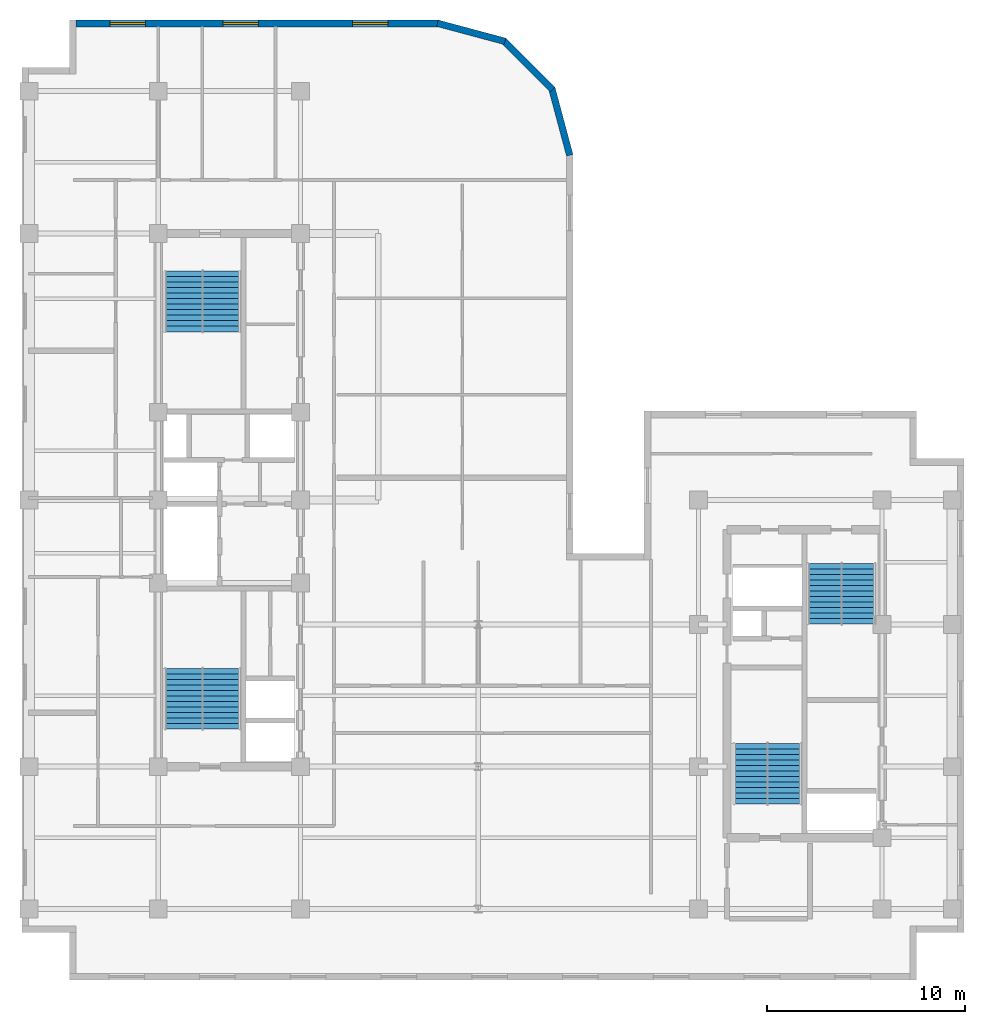
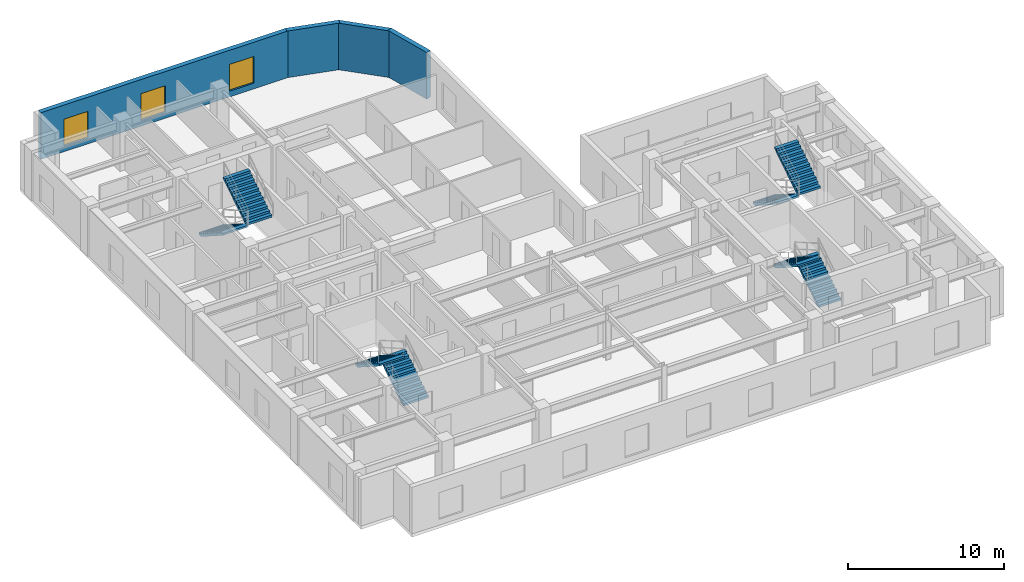
# One storey, part 7 of 10: 8 stair flights, 4 walls, 3 windows, 3 openings, 4 elements without a shape of their own.
"""IFC4 building model written with IfcOpenShell, lengths in metres."""

from ifc_helpers import new_model, entity, si_unit, converted_unit, direction, frame, origin_with_axes, origin_2d_with_axis, place, context, subcontext, project, spatial, polyline, rectangle, outline, extrude, material, layer, layer_set, type_object, element, fill, aggregate, save


model = new_model("IFC4")

# Units and contexts
model_context = context("Model", 3, precision=1e-05, world=origin_with_axes(), true_north=direction((0.0, 1.0)))
body_context = subcontext(model_context, "Body", "Model", "MODEL_VIEW")
ifc_project = project(units=[si_unit("LENGTHUNIT", "METRE"), si_unit("AREAUNIT", "SQUARE_METRE"), si_unit("VOLUMEUNIT", "CUBIC_METRE"), converted_unit("PLANEANGLEUNIT", "DEGREE", entity("IfcPlaneAngleMeasure", 0.017453292519943295), si_unit("PLANEANGLEUNIT", "RADIAN"), dimensions=[0, 0, 0, 0, 0, 0, 0]), si_unit("MASSUNIT", "GRAM", prefix="KILO"), si_unit("THERMODYNAMICTEMPERATUREUNIT", "KELVIN")], contexts=[model_context])

# Site, building, storey
site_placement = place(None, origin_with_axes())
site = spatial("IfcSite", under=ifc_project, at=site_placement, CompositionType="ELEMENT")
building_placement = place(site_placement, origin_with_axes())
building = spatial("IfcBuilding", under=site, at=building_placement, Name="Varnlund Millrace Tower", CompositionType="ELEMENT")
storey_placement = place(building_placement, frame((0.0, 0.0, 240.3), z_axis=(0.0, 0.0, 1.0), x_axis=(1.0, 0.0, 0.0)))
storey = spatial("IfcBuildingStorey", under=building, at=storey_placement, Name="L59", CompositionType="ELEMENT", Elevation=240.3)

# Wall, openings, windows
ifc_material_1 = material(Name="Precast concrete C50/60", Category="concrete")
ifc_layer = layer(ifc_material_1, 0.34, Name="Precast concrete C50/60")
ifc_layer_set = layer_set([ifc_layer], Name="Precast concrete C50/60")
wall_type = type_object("IfcWallType", Name="Type-ExtWall-Precast-Upper-340", PredefinedType="SOLIDWALL", material=ifc_layer_set)
wall_1_placement = place(storey_placement, frame((7.24, 48.43, 0.0), z_axis=(0.0, 0.0, 1.0), x_axis=(1.0, 0.0, 0.0)))
wall_1 = element("IfcWall", 1, at=wall_1_placement, inside=storey, type_object=wall_type, Name="Type-ExtWall-Precast-Upper-340", PredefinedType="SOLIDWALL", context=body_context, shape_type="SweptSolid", body=[
    extrude(outline(polyline([(0.0, -0.17), (18.36, -0.17), (18.36, 0.17), (0.0, 0.17), (0.0, -0.17)])), origin_with_axes(), (0.0, 0.0, 1.0), 3.66),
])
opening_1_placement = place(wall_1_placement, frame((2.61, 0.0, 0.45), z_axis=(0.0, 0.0, 1.0), x_axis=(1.0, 0.0, 0.0)))
opening_1 = element("IfcOpeningElement", 2, at=opening_1_placement, cuts=wall_1, Name="Opening L59:WN-22", PredefinedType="OPENING", context=body_context, shape_type="SweptSolid", body=[
    extrude(rectangle(XDim=1.8, YDim=0.36, at=origin_2d_with_axis()), origin_with_axes(), (0.0, 0.0, 1.0), 2.1),
])
opening_2_placement = place(wall_1_placement, frame((8.33, 0.0, 0.45), z_axis=(0.0, 0.0, 1.0), x_axis=(1.0, 0.0, 0.0)))
opening_2 = element("IfcOpeningElement", 3, at=opening_2_placement, cuts=wall_1, Name="Opening L59:WN-23", PredefinedType="OPENING", context=body_context, shape_type="SweptSolid", body=[
    extrude(rectangle(XDim=1.8, YDim=0.36, at=origin_2d_with_axis()), origin_with_axes(), (0.0, 0.0, 1.0), 2.1),
])
opening_3_placement = place(wall_1_placement, frame((14.9, 0.0, 0.45), z_axis=(0.0, 0.0, 1.0), x_axis=(1.0, 0.0, 0.0)))
opening_3 = element("IfcOpeningElement", 4, at=opening_3_placement, cuts=wall_1, Name="Opening L59:WN-24", PredefinedType="OPENING", context=body_context, shape_type="SweptSolid", body=[
    extrude(rectangle(XDim=1.8, YDim=0.36, at=origin_2d_with_axis()), origin_with_axes(), (0.0, 0.0, 1.0), 2.1),
])
ifc_material_2 = material(Name="Argon low-e triple glazing in thermally broken bronze frame", Category="glass")
window_type = type_object("IfcWindowType", Name="Type-Window-Punched-1800X2100", PartitioningType="SINGLE_PANEL", PredefinedType="WINDOW", material=ifc_material_2)
window_1_placement = place(wall_1_placement, frame((2.61, 0.0, 0.45), z_axis=(0.0, 0.0, 1.0), x_axis=(1.0, 0.0, 0.0)))
window_1 = element("IfcWindow", 5, at=window_1_placement, inside=storey, type_object=window_type, Name="Type-Window-Punched-1800X2100", OverallHeight=2.1, OverallWidth=1.8, PredefinedType="WINDOW", context=body_context, shape_type="SweptSolid", body=[
    extrude(rectangle(XDim=1.8, YDim=0.09, at=origin_2d_with_axis()), origin_with_axes(), (0.0, 0.0, 1.0), 2.1),
])
fill(opening_1, window_1)
window_2_placement = place(wall_1_placement, frame((8.33, 0.0, 0.45), z_axis=(0.0, 0.0, 1.0), x_axis=(1.0, 0.0, 0.0)))
window_2 = element("IfcWindow", 6, at=window_2_placement, inside=storey, type_object=window_type, Name="Type-Window-Punched-1800X2100", OverallHeight=2.1, OverallWidth=1.8, PredefinedType="WINDOW", context=body_context, shape_type="SweptSolid", body=[
    extrude(rectangle(XDim=1.8, YDim=0.09, at=origin_2d_with_axis()), origin_with_axes(), (0.0, 0.0, 1.0), 2.1),
])
fill(opening_2, window_2)
window_3_placement = place(wall_1_placement, frame((14.9, 0.0, 0.45), z_axis=(0.0, 0.0, 1.0), x_axis=(1.0, 0.0, 0.0)))
window_3 = element("IfcWindow", 7, at=window_3_placement, inside=storey, type_object=window_type, Name="Type-Window-Punched-1800X2100", OverallHeight=2.1, OverallWidth=1.8, PredefinedType="WINDOW", context=body_context, shape_type="SweptSolid", body=[
    extrude(rectangle(XDim=1.8, YDim=0.09, at=origin_2d_with_axis()), origin_with_axes(), (0.0, 0.0, 1.0), 2.1),
])
fill(opening_3, window_3)

# Walls
wall_2_placement = place(storey_placement, frame((25.537, 48.441, 0.0), z_axis=(0.0, 0.0, 1.0), x_axis=(0.965934, -0.258788, 0.0)))
element("IfcWall", 8, at=wall_2_placement, inside=storey, type_object=wall_type, Name="Type-ExtWall-Precast-Upper-340", PredefinedType="SOLIDWALL", context=body_context, shape_type="SweptSolid", body=[
    extrude(outline(polyline([(0.0, -0.17), (3.539579, -0.17), (3.539579, 0.17), (0.0, 0.17), (0.0, -0.17)])), origin_with_axes(), (0.0, 0.0, 1.0), 3.66),
])
wall_3_placement = place(storey_placement, frame((28.866, 47.583, 0.0), z_axis=(0.0, 0.0, 1.0), x_axis=(0.707107, -0.707107, 0.0)))
element("IfcWall", 9, at=wall_3_placement, inside=storey, type_object=wall_type, Name="Type-ExtWall-Precast-Upper-340", PredefinedType="SOLIDWALL", context=body_context, shape_type="SweptSolid", body=[
    extrude(outline(polyline([(0.0, -0.17), (3.539777, -0.17), (3.539777, 0.17), (0.0, 0.17), (0.0, -0.17)])), origin_with_axes(), (0.0, 0.0, 1.0), 3.66),
])
wall_4_placement = place(storey_placement, frame((31.32, 45.175, 0.0), z_axis=(0.0, 0.0, 1.0), x_axis=(0.258788, -0.965934, 0.0)))
element("IfcWall", 10, at=wall_4_placement, inside=storey, type_object=wall_type, Name="Type-ExtWall-Precast-Upper-340", PredefinedType="SOLIDWALL", context=body_context, shape_type="SweptSolid", body=[
    extrude(outline(polyline([(0.0, -0.17), (3.539579, -0.17), (3.539579, 0.17), (0.0, 0.17), (0.0, -0.17)])), origin_with_axes(), (0.0, 0.0, 1.0), 3.66),
])

# Stair, stair flights
ifc_material_3 = material(Name="Concrete C50/60", Category="concrete")
stair_type_1 = type_object("IfcStairType", Name="Type-Stair-Dogleg-165-390", PredefinedType="HALF_TURN_STAIR", material=ifc_material_3)
stair_1_placement = place(storey_placement, origin_with_axes())
stair_1 = element("IfcStair", 11, at=stair_1_placement, inside=storey, type_object=stair_type_1, Name="Type-Stair-Dogleg-165-390", PredefinedType="HALF_TURN_STAIR")
stair_flight_type_1 = type_object("IfcStairFlightType", Name="Type-Dogleg-Run-165-390", PredefinedType="STRAIGHT", material=ifc_material_1)
stair_flight_1_placement = place(storey_placement, frame((42.225, 8.9, 0.0), z_axis=(1.0, 0.0, 0.0), x_axis=(0.0, 1.0, 0.0)))
stair_flight_1 = element("IfcStairFlight", 12, at=stair_flight_1_placement, type_object=stair_flight_type_1, Name="ST-B1 flight 1", NumberOfRisers=11, NumberOfTreads=11, PredefinedType="STRAIGHT", RiserHeight=0.177273, TreadLength=0.28, context=body_context, shape_type="SweptSolid", body=[
    extrude(outline(polyline([(0.0, 0.0), (0.0, 0.177273), (0.28, 0.177273), (0.28, 0.354545), (0.56, 0.354545), (0.56, 0.531818), (0.84, 0.531818), (0.84, 0.709091), (1.12, 0.709091), (1.12, 0.886364), (1.4, 0.886364), (1.4, 1.063636), (1.68, 1.063636), (1.68, 1.240909), (1.96, 1.240909), (1.96, 1.418182), (2.24, 1.418182), (2.24, 1.595454), (2.52, 1.595454), (2.52, 1.772727), (2.8, 1.772727), (2.8, 1.95), (3.08, 1.95), (3.08, 1.8), (0.28, 0.0), (0.0, 0.0)])), origin_with_axes(), (0.0, 0.0, 1.0), 1.65),
])
stair_flight_2_placement = place(storey_placement, frame((42.275, 11.98, 1.95), z_axis=(-1.0, 0.0, 0.0), x_axis=(0.0, -1.0, 0.0)))
stair_flight_2 = element("IfcStairFlight", 13, at=stair_flight_2_placement, type_object=stair_flight_type_1, Name="ST-B1 flight 2", NumberOfRisers=11, NumberOfTreads=11, PredefinedType="STRAIGHT", RiserHeight=0.177273, TreadLength=0.28, context=body_context, shape_type="SweptSolid", body=[
    extrude(outline(polyline([(0.0, 0.0), (0.0, 0.177273), (0.28, 0.177273), (0.28, 0.354545), (0.56, 0.354545), (0.56, 0.531818), (0.84, 0.531818), (0.84, 0.709091), (1.12, 0.709091), (1.12, 0.886364), (1.4, 0.886364), (1.4, 1.063636), (1.68, 1.063636), (1.68, 1.240909), (1.96, 1.240909), (1.96, 1.418182), (2.24, 1.418182), (2.24, 1.595454), (2.52, 1.595454), (2.52, 1.772727), (2.8, 1.772727), (2.8, 1.95), (3.08, 1.95), (3.08, 1.8), (0.28, 0.0), (0.0, 0.0)])), origin_with_axes(), (0.0, 0.0, 1.0), 1.65),
])
aggregate(stair_1, [stair_flight_1, stair_flight_2])

stair_2_placement = place(storey_placement, origin_with_axes())
stair_2 = element("IfcStair", 14, at=stair_2_placement, inside=storey, type_object=stair_type_1, Name="Type-Stair-Dogleg-165-390", PredefinedType="HALF_TURN_STAIR")
stair_flight_3_placement = place(storey_placement, frame((46.025, 21.1, 0.0), z_axis=(-1.0, 0.0, 0.0), x_axis=(0.0, -1.0, 0.0)))
stair_flight_3 = element("IfcStairFlight", 15, at=stair_flight_3_placement, type_object=stair_flight_type_1, Name="ST-B2 flight 1", NumberOfRisers=11, NumberOfTreads=11, PredefinedType="STRAIGHT", RiserHeight=0.177273, TreadLength=0.28, context=body_context, shape_type="SweptSolid", body=[
    extrude(outline(polyline([(0.0, 0.0), (0.0, 0.177273), (0.28, 0.177273), (0.28, 0.354545), (0.56, 0.354545), (0.56, 0.531818), (0.84, 0.531818), (0.84, 0.709091), (1.12, 0.709091), (1.12, 0.886364), (1.4, 0.886364), (1.4, 1.063636), (1.68, 1.063636), (1.68, 1.240909), (1.96, 1.240909), (1.96, 1.418182), (2.24, 1.418182), (2.24, 1.595454), (2.52, 1.595454), (2.52, 1.772727), (2.8, 1.772727), (2.8, 1.95), (3.08, 1.95), (3.08, 1.8), (0.28, 0.0), (0.0, 0.0)])), origin_with_axes(), (0.0, 0.0, 1.0), 1.65),
])
stair_flight_4_placement = place(storey_placement, frame((45.975, 18.02, 1.95), z_axis=(1.0, 0.0, 0.0), x_axis=(0.0, 1.0, 0.0)))
stair_flight_4 = element("IfcStairFlight", 16, at=stair_flight_4_placement, type_object=stair_flight_type_1, Name="ST-B2 flight 2", NumberOfRisers=11, NumberOfTreads=11, PredefinedType="STRAIGHT", RiserHeight=0.177273, TreadLength=0.28, context=body_context, shape_type="SweptSolid", body=[
    extrude(outline(polyline([(0.0, 0.0), (0.0, 0.177273), (0.28, 0.177273), (0.28, 0.354545), (0.56, 0.354545), (0.56, 0.531818), (0.84, 0.531818), (0.84, 0.709091), (1.12, 0.709091), (1.12, 0.886364), (1.4, 0.886364), (1.4, 1.063636), (1.68, 1.063636), (1.68, 1.240909), (1.96, 1.240909), (1.96, 1.418182), (2.24, 1.418182), (2.24, 1.595454), (2.52, 1.595454), (2.52, 1.772727), (2.8, 1.772727), (2.8, 1.95), (3.08, 1.95), (3.08, 1.8), (0.28, 0.0), (0.0, 0.0)])), origin_with_axes(), (0.0, 0.0, 1.0), 1.65),
])
aggregate(stair_2, [stair_flight_3, stair_flight_4])

stair_type_2 = type_object("IfcStairType", Name="Type-Stair-Dogleg-185-390", PredefinedType="HALF_TURN_STAIR", material=ifc_material_3)
stair_3_placement = place(storey_placement, origin_with_axes())
stair_3 = element("IfcStair", 17, at=stair_3_placement, inside=storey, type_object=stair_type_2, Name="Type-Stair-Dogleg-185-390", PredefinedType="HALF_TURN_STAIR")
stair_flight_type_2 = type_object("IfcStairFlightType", Name="Type-Dogleg-Run-185-390", PredefinedType="STRAIGHT", material=ifc_material_1)
stair_flight_5_placement = place(storey_placement, frame((13.625, 12.7, 0.0), z_axis=(1.0, 0.0, 0.0), x_axis=(0.0, 1.0, 0.0)))
stair_flight_5 = element("IfcStairFlight", 18, at=stair_flight_5_placement, type_object=stair_flight_type_2, Name="ST-A1 flight 1", NumberOfRisers=11, NumberOfTreads=11, PredefinedType="STRAIGHT", RiserHeight=0.177273, TreadLength=0.28, context=body_context, shape_type="SweptSolid", body=[
    extrude(outline(polyline([(0.0, 0.0), (0.0, 0.177273), (0.28, 0.177273), (0.28, 0.354545), (0.56, 0.354545), (0.56, 0.531818), (0.84, 0.531818), (0.84, 0.709091), (1.12, 0.709091), (1.12, 0.886364), (1.4, 0.886364), (1.4, 1.063636), (1.68, 1.063636), (1.68, 1.240909), (1.96, 1.240909), (1.96, 1.418182), (2.24, 1.418182), (2.24, 1.595454), (2.52, 1.595454), (2.52, 1.772727), (2.8, 1.772727), (2.8, 1.95), (3.08, 1.95), (3.08, 1.8), (0.28, 0.0), (0.0, 0.0)])), origin_with_axes(), (0.0, 0.0, 1.0), 1.85),
])
stair_flight_6_placement = place(storey_placement, frame((13.675, 15.78, 1.95), z_axis=(-1.0, 0.0, 0.0), x_axis=(0.0, -1.0, 0.0)))
stair_flight_6 = element("IfcStairFlight", 19, at=stair_flight_6_placement, type_object=stair_flight_type_2, Name="ST-A1 flight 2", NumberOfRisers=11, NumberOfTreads=11, PredefinedType="STRAIGHT", RiserHeight=0.177273, TreadLength=0.28, context=body_context, shape_type="SweptSolid", body=[
    extrude(outline(polyline([(0.0, 0.0), (0.0, 0.177273), (0.28, 0.177273), (0.28, 0.354545), (0.56, 0.354545), (0.56, 0.531818), (0.84, 0.531818), (0.84, 0.709091), (1.12, 0.709091), (1.12, 0.886364), (1.4, 0.886364), (1.4, 1.063636), (1.68, 1.063636), (1.68, 1.240909), (1.96, 1.240909), (1.96, 1.418182), (2.24, 1.418182), (2.24, 1.595454), (2.52, 1.595454), (2.52, 1.772727), (2.8, 1.772727), (2.8, 1.95), (3.08, 1.95), (3.08, 1.8), (0.28, 0.0), (0.0, 0.0)])), origin_with_axes(), (0.0, 0.0, 1.0), 1.85),
])
aggregate(stair_3, [stair_flight_5, stair_flight_6])

stair_4_placement = place(storey_placement, origin_with_axes())
stair_4 = element("IfcStair", 20, at=stair_4_placement, inside=storey, type_object=stair_type_2, Name="Type-Stair-Dogleg-185-390", PredefinedType="HALF_TURN_STAIR")
stair_flight_7_placement = place(storey_placement, frame((13.675, 35.9, 0.0), z_axis=(-1.0, 0.0, 0.0), x_axis=(0.0, -1.0, 0.0)))
stair_flight_7 = element("IfcStairFlight", 21, at=stair_flight_7_placement, type_object=stair_flight_type_2, Name="ST-A2 flight 1", NumberOfRisers=11, NumberOfTreads=11, PredefinedType="STRAIGHT", RiserHeight=0.177273, TreadLength=0.28, context=body_context, shape_type="SweptSolid", body=[
    extrude(outline(polyline([(0.0, 0.0), (0.0, 0.177273), (0.28, 0.177273), (0.28, 0.354545), (0.56, 0.354545), (0.56, 0.531818), (0.84, 0.531818), (0.84, 0.709091), (1.12, 0.709091), (1.12, 0.886364), (1.4, 0.886364), (1.4, 1.063636), (1.68, 1.063636), (1.68, 1.240909), (1.96, 1.240909), (1.96, 1.418182), (2.24, 1.418182), (2.24, 1.595454), (2.52, 1.595454), (2.52, 1.772727), (2.8, 1.772727), (2.8, 1.95), (3.08, 1.95), (3.08, 1.8), (0.28, 0.0), (0.0, 0.0)])), origin_with_axes(), (0.0, 0.0, 1.0), 1.85),
])
stair_flight_8_placement = place(storey_placement, frame((13.625, 32.82, 1.95), z_axis=(1.0, 0.0, 0.0), x_axis=(0.0, 1.0, 0.0)))
stair_flight_8 = element("IfcStairFlight", 22, at=stair_flight_8_placement, type_object=stair_flight_type_2, Name="ST-A2 flight 2", NumberOfRisers=11, NumberOfTreads=11, PredefinedType="STRAIGHT", RiserHeight=0.177273, TreadLength=0.28, context=body_context, shape_type="SweptSolid", body=[
    extrude(outline(polyline([(0.0, 0.0), (0.0, 0.177273), (0.28, 0.177273), (0.28, 0.354545), (0.56, 0.354545), (0.56, 0.531818), (0.84, 0.531818), (0.84, 0.709091), (1.12, 0.709091), (1.12, 0.886364), (1.4, 0.886364), (1.4, 1.063636), (1.68, 1.063636), (1.68, 1.240909), (1.96, 1.240909), (1.96, 1.418182), (2.24, 1.418182), (2.24, 1.595454), (2.52, 1.595454), (2.52, 1.772727), (2.8, 1.772727), (2.8, 1.95), (3.08, 1.95), (3.08, 1.8), (0.28, 0.0), (0.0, 0.0)])), origin_with_axes(), (0.0, 0.0, 1.0), 1.85),
])
aggregate(stair_4, [stair_flight_7, stair_flight_8])

save(model, "model.ifc")
